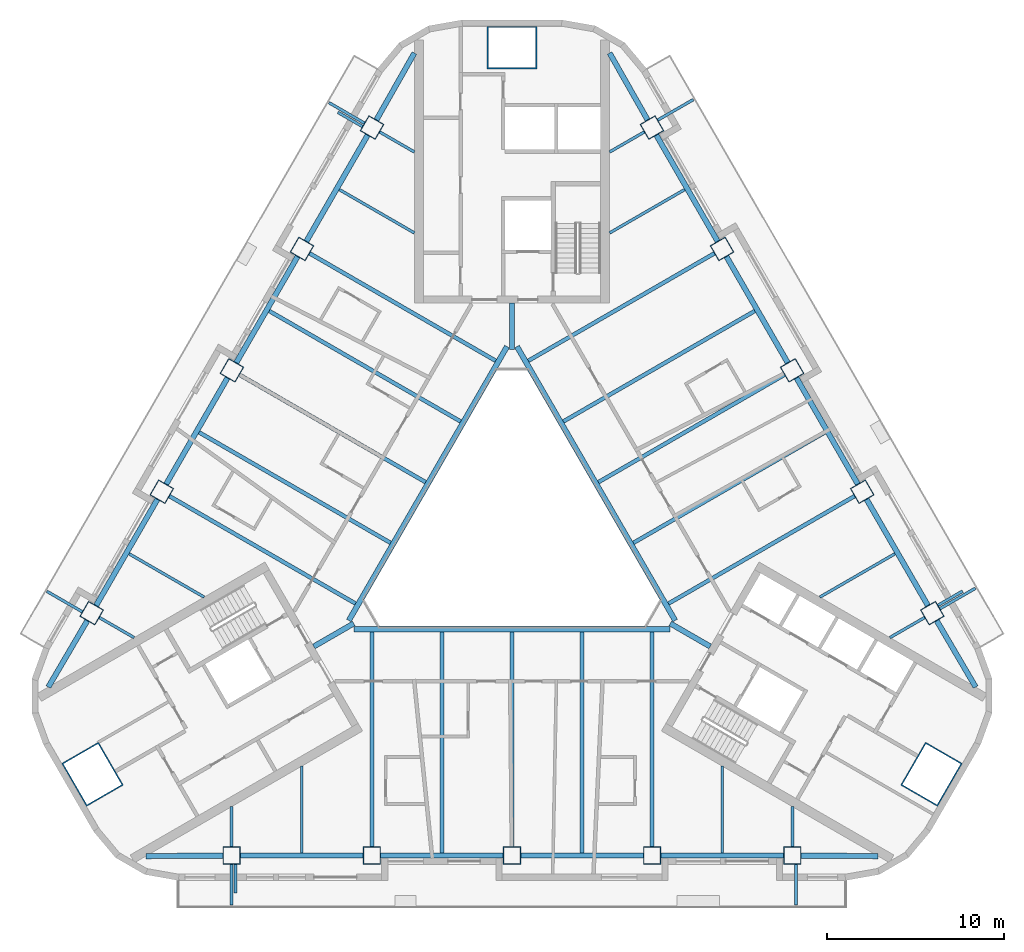
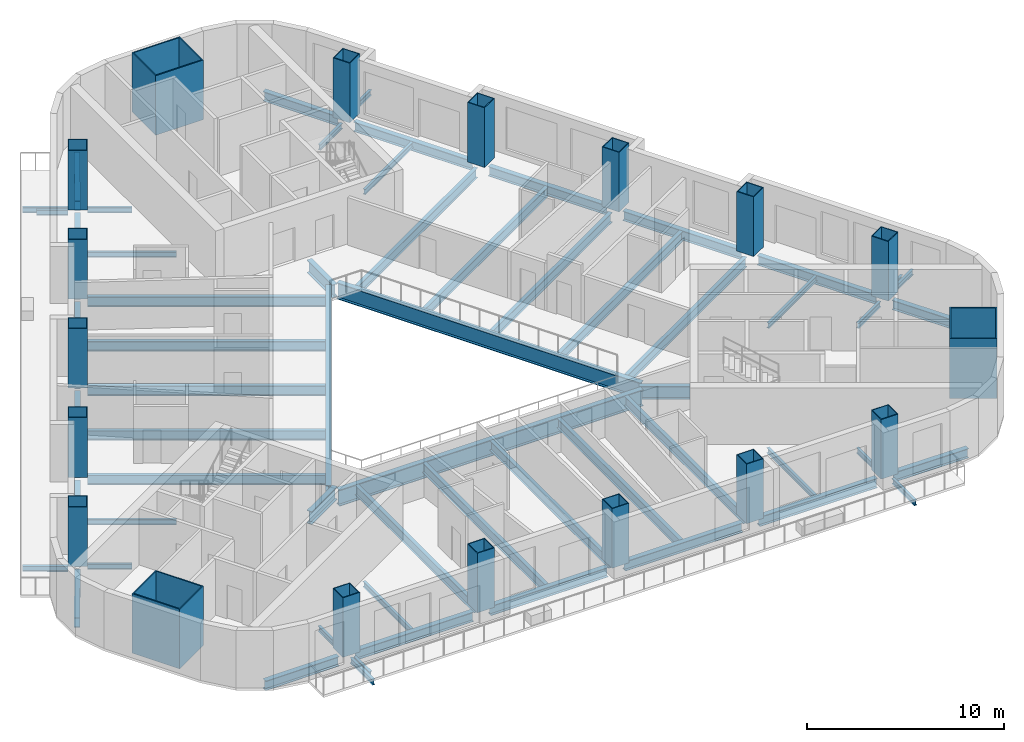
# One storey, part 1 of 14: 60 beams, 18 columns.
"""IFC4 building model written with IfcOpenShell, lengths in metres."""

from ifc_helpers import new_model, si_unit, direction, frame, origin, origin_2d, place, context, subcontext, project, spatial, rectangle, hollow_rectangle, i_section, extrude, material, material_profile, profile_set, type_object, element, save


model = new_model("IFC4")

# Units and contexts
model_context = context("Model", 3, precision=1e-05, world=origin(), true_north=direction((0.0, 1.0)))
body_context = subcontext(model_context, "Body", "Model", "MODEL_VIEW")
ifc_project = project(units=[si_unit("LENGTHUNIT", "METRE"), si_unit("AREAUNIT", "SQUARE_METRE"), si_unit("VOLUMEUNIT", "CUBIC_METRE"), si_unit("PLANEANGLEUNIT", "RADIAN"), si_unit("MASSUNIT", "GRAM", prefix="KILO")], contexts=[model_context])

# Site, building, storey
site_placement = place(None, origin())
site = spatial("IfcSite", under=ifc_project, at=site_placement, CompositionType="ELEMENT")
building_placement = place(site_placement, origin())
building = spatial("IfcBuilding", under=site, at=building_placement, Name="Apuvela Tower Hotel", CompositionType="ELEMENT")
storey_placement = place(building_placement, frame((0.0, 0.0, 72.39990234375)))
storey = spatial("IfcBuildingStorey", under=building, at=storey_placement, Name="L15", CompositionType="ELEMENT", Elevation=72.39990234375)

# Columns
ifc_material_1 = material(Name="Steel S460", Category="steel")
ifc_material_profile_1 = material_profile(ifc_material_1, hollow_rectangle(XDim=2.800048828125, YDim=2.39990234375, WallThickness=0.070068359375, at=origin_2d()), Name="BOX 2800x2400x70")
ifc_material_2 = material(Name="Concrete C80/95", Category="concrete")
ifc_material_profile_2 = material_profile(ifc_material_2, rectangle(XDim=2.659912109375, YDim=2.260009765625, at=origin_2d()), Name="Concrete C80/95 infill")
ifc_profile_set_1 = profile_set([ifc_material_profile_1, ifc_material_profile_2], Name="Steel S460")
column_type_1 = type_object("IfcColumnType", Name="STR-MC mega column BOX 2800x2400x70", PredefinedType="COLUMN", material=ifc_profile_set_1)
for number, where, z_axis, x_axis, name in (
    (1, (0.0, 27.300048828125, 0.0), (0.0, 0.0, 1.0), (1.0, 0.0, 0.0), "Mega column MC2 N"),
    (2, (-23.642578125, -13.64990234375, 0.0), (0.0, 0.0, 1.0), (-0.5, 0.866025403784, 0.0), "Mega column MC2 SW"),
    (3, (23.642578125, -13.64990234375, 0.0), (0.0, 0.0, 1.0), (0.5, 0.866025403784, 0.0), "Mega column MC2 SE"),
):
    element("IfcColumn", number, at=place(storey_placement, frame(where, z_axis=z_axis, x_axis=x_axis)), inside=storey, type_object=column_type_1, Name=name, PredefinedType="COLUMN", context=body_context, shape_type="SweptSolid", body=[
        extrude(hollow_rectangle(XDim=2.800048828125, YDim=2.39990234375, WallThickness=0.070068359375, at=origin_2d()), origin(), (0.0, 0.0, 1.0), 3.7001953125),
    ])
ifc_material_profile_3 = material_profile(ifc_material_1, hollow_rectangle(XDim=1.0, YDim=1.0, WallThickness=0.044921875, at=origin_2d()), Name="BOX 1000x1000x45")
ifc_material_profile_4 = material_profile(ifc_material_2, rectangle(XDim=0.909912109375, YDim=0.909912109375, at=origin_2d()), Name="Concrete C80/95 infill")
ifc_profile_set_2 = profile_set([ifc_material_profile_3, ifc_material_profile_4], Name="Steel S460")
column_type_2 = type_object("IfcColumnType", Name="STR-PC perimeter column BOX 1000x1000x45", PredefinedType="COLUMN", material=ifc_profile_set_2)
for number, where, z_axis, x_axis, name in (
    (4, (-15.800048828125, -18.22998046875, 0.0), (0.0, 0.0, 1.0), (-1.0, 0.0, 0.0), "Perimeter column C2 S1"),
    (5, (-7.89990234375, -18.22998046875, 0.0), (0.0, 0.0, 1.0), (-1.0, 0.0, 0.0), "Perimeter column C2 S2"),
    (6, (0.0, -18.22998046875, 0.0), (0.0, 0.0, 1.0), (-1.0, 0.0, 0.0), "Perimeter column C2 S3"),
    (7, (7.89990234375, -18.22998046875, 0.0), (0.0, 0.0, 1.0), (-1.0, 0.0, 0.0), "Perimeter column C2 S4"),
    (8, (15.800048828125, -18.22998046875, 0.0), (0.0, 0.0, 1.0), (-1.0, 0.0, 0.0), "Perimeter column C2 S5"),
    (9, (23.6875, -4.568115234375, 0.0), (0.0, 0.0, 1.0), (-0.5, 0.866025403784, 0.0), "Perimeter column C2 NE1"),
    (10, (19.737548828125, 2.2734375, 0.0), (0.0, 0.0, 1.0), (-0.5, 0.866025403784, 0.0), "Perimeter column C2 NE2"),
    (11, (15.78759765625, 9.114990234375, 0.0), (0.0, 0.0, 1.0), (-0.5, 0.866025403784, 0.0), "Perimeter column C2 NE3"),
    (12, (11.837646484375, 15.95654296875, 0.0), (0.0, 0.0, 1.0), (-0.5, 0.866025403784, 0.0), "Perimeter column C2 NE4"),
    (13, (7.8876953125, 22.798095703125, 0.0), (0.0, 0.0, 1.0), (-0.5, 0.866025403784, 0.0), "Perimeter column C2 NE5"),
    (14, (-7.8876953125, 22.798095703125, 0.0), (0.0, 0.0, 1.0), (0.5, 0.866025403784, 0.0), "Perimeter column C2 NW1"),
    (15, (-11.837646484375, 15.95654296875, 0.0), (0.0, 0.0, 1.0), (0.5, 0.866025403784, 0.0), "Perimeter column C2 NW2"),
    (16, (-15.78759765625, 9.114990234375, 0.0), (0.0, 0.0, 1.0), (0.5, 0.866025403784, 0.0), "Perimeter column C2 NW3"),
    (17, (-19.737548828125, 2.2734375, 0.0), (0.0, 0.0, 1.0), (0.5, 0.866025403784, 0.0), "Perimeter column C2 NW4"),
    (18, (-23.6875, -4.568115234375, 0.0), (0.0, 0.0, 1.0), (0.5, 0.866025403784, 0.0), "Perimeter column C2 NW5"),
):
    element("IfcColumn", number, at=place(storey_placement, frame(where, z_axis=z_axis, x_axis=x_axis)), inside=storey, type_object=column_type_2, Name=name, PredefinedType="COLUMN", context=body_context, shape_type="SweptSolid", body=[
        extrude(hollow_rectangle(XDim=1.0, YDim=1.0, WallThickness=0.044921875, at=origin_2d()), origin(), (0.0, 0.0, 1.0), 3.7001953125),
    ])

# Beams
ifc_material_3 = material(Name="Steel S355", Category="steel")
ifc_material_profile_5 = material_profile(ifc_material_3, i_section(OverallWidth=0.159912109375, OverallDepth=0.330078125, WebThickness=0.007568359375, FlangeThickness=0.011474609375, at=origin_2d()), Name="IPE 330")
ifc_profile_set_3 = profile_set([ifc_material_profile_5], Name="Steel S355")
beam_type_1 = type_object("IfcBeamType", Name="ENV-BALCONY-BEAM-IPE330", PredefinedType="BEAM", material=ifc_profile_set_3)
beam_1_placement = place(storey_placement, frame((-15.800048828125, -18.72998046875, -0.31494140625), z_axis=(0.0, -1.0, 0.0), x_axis=(1.0, 0.0, 0.0)))
element("IfcBeam", 19, at=beam_1_placement, inside=storey, type_object=beam_type_1, Name="Balcony cantilever beam S1 L15", PredefinedType="BEAM", context=body_context, shape_type="SweptSolid", body=[
    extrude(i_section(OverallWidth=0.159912109375, OverallDepth=0.330078125, WebThickness=0.007568359375, FlangeThickness=0.011474609375, at=origin_2d()), origin(), (0.0, 0.0, 1.0), 2.300048828125),
])
beam_2_placement = place(storey_placement, frame((-15.580078125, -18.72998046875, -0.31494140625), z_axis=(0.0, -1.0, 0.0), x_axis=(1.0, 0.0, 0.0)))
element("IfcBeam", 20, at=beam_2_placement, inside=storey, type_object=beam_type_1, Name="Balcony cantilever beam S2 L15", PredefinedType="BEAM", context=body_context, shape_type="SweptSolid", body=[
    extrude(i_section(OverallWidth=0.159912109375, OverallDepth=0.330078125, WebThickness=0.007568359375, FlangeThickness=0.011474609375, at=origin_2d()), origin(), (0.0, 0.0, 1.0), 1.60009765625),
])
for number, where, z_axis, x_axis, name in (
    (21, (16.0, -18.72998046875, -0.31494140625), (0.0, -1.0, 0.0), (1.0, 0.0, 0.0), "Balcony cantilever beam S3 L15"),
    (22, (24.12060546875, -4.318115234375, -0.31494140625), (0.866053019151, 0.499952165731, 0.0), (-0.499952165731, 0.866053019151, 0.0), "Balcony cantilever beam NE1 L15"),
):
    element("IfcBeam", number, at=place(storey_placement, frame(where, z_axis=z_axis, x_axis=x_axis)), inside=storey, type_object=beam_type_1, Name=name, PredefinedType="BEAM", context=body_context, shape_type="SweptSolid", body=[
        extrude(i_section(OverallWidth=0.159912109375, OverallDepth=0.330078125, WebThickness=0.007568359375, FlangeThickness=0.011474609375, at=origin_2d()), origin(), (0.0, 0.0, 1.0), 2.300048828125),
    ])
beam_3_placement = place(storey_placement, frame((24.0107421875, -4.127685546875, -0.31494140625), z_axis=(0.865989903783, 0.500061482766, 0.0), x_axis=(-0.500061482766, 0.865989903783, 0.0)))
element("IfcBeam", 23, at=beam_3_placement, inside=storey, type_object=beam_type_1, Name="Balcony cantilever beam NE2 L15", PredefinedType="BEAM", context=body_context, shape_type="SweptSolid", body=[
    extrude(i_section(OverallWidth=0.159912109375, OverallDepth=0.330078125, WebThickness=0.007568359375, FlangeThickness=0.011474609375, at=origin_2d()), origin(), (0.0, 0.0, 1.0), 1.599853515625),
])
beam_4_placement = place(storey_placement, frame((8.220703125, 23.221435546875, -0.31494140625), z_axis=(0.86602648383, 0.499998129301, 0.0), x_axis=(-0.499998129301, 0.86602648383, 0.0)))
element("IfcBeam", 24, at=beam_4_placement, inside=storey, type_object=beam_type_1, Name="Balcony cantilever beam NE3 L15", PredefinedType="BEAM", context=body_context, shape_type="SweptSolid", body=[
    extrude(i_section(OverallWidth=0.159912109375, OverallDepth=0.330078125, WebThickness=0.007568359375, FlangeThickness=0.011474609375, at=origin_2d()), origin(), (0.0, 0.0, 1.0), 2.2998046875),
])
beam_5_placement = place(storey_placement, frame((-8.32080078125, 23.048095703125, -0.31494140625), z_axis=(-0.865980515519, 0.500077740698, 0.0), x_axis=(-0.500077740698, -0.865980515519, 0.0)))
element("IfcBeam", 25, at=beam_5_placement, inside=storey, type_object=beam_type_1, Name="Balcony cantilever beam NW1 L15", PredefinedType="BEAM", context=body_context, shape_type="SweptSolid", body=[
    extrude(i_section(OverallWidth=0.159912109375, OverallDepth=0.330078125, WebThickness=0.007568359375, FlangeThickness=0.011474609375, at=origin_2d()), origin(), (0.0, 0.0, 1.0), 2.300048828125),
])
beam_6_placement = place(storey_placement, frame((-8.4306640625, 22.857666015625, -0.31494140625), z_axis=(-0.866028054938, 0.499995408039, 0.0), x_axis=(-0.499995408039, -0.866028054938, 0.0)))
element("IfcBeam", 26, at=beam_6_placement, inside=storey, type_object=beam_type_1, Name="Balcony cantilever beam NW2 L15", PredefinedType="BEAM", context=body_context, shape_type="SweptSolid", body=[
    extrude(i_section(OverallWidth=0.159912109375, OverallDepth=0.330078125, WebThickness=0.007568359375, FlangeThickness=0.011474609375, at=origin_2d()), origin(), (0.0, 0.0, 1.0), 1.60009765625),
])
beam_7_placement = place(storey_placement, frame((-24.220703125, -4.491455078125, -0.31494140625), z_axis=(-0.865980515519, 0.500077740698, 0.0), x_axis=(-0.500077740698, -0.865980515519, 0.0)))
element("IfcBeam", 27, at=beam_7_placement, inside=storey, type_object=beam_type_1, Name="Balcony cantilever beam NW3 L15", PredefinedType="BEAM", context=body_context, shape_type="SweptSolid", body=[
    extrude(i_section(OverallWidth=0.159912109375, OverallDepth=0.330078125, WebThickness=0.007568359375, FlangeThickness=0.011474609375, at=origin_2d()), origin(), (0.0, 0.0, 1.0), 2.300048828125),
])
ifc_material_profile_6 = material_profile(ifc_material_3, i_section(OverallWidth=0.159912109375, OverallDepth=0.330078125, WebThickness=0.007568359375, FlangeThickness=0.011474609375, at=origin_2d()), Name="IPE 330")
ifc_profile_set_4 = profile_set([ifc_material_profile_6], Name="Steel S355")
beam_type_2 = type_object("IfcBeamType", Name="STR-B floor beam IPE 330", PredefinedType="BEAM", material=ifc_profile_set_4)
beam_8_placement = place(storey_placement, frame((23.254638671875, -4.818115234375, -0.31494140625), z_axis=(-0.865991034588, -0.500059524469, 0.0), x_axis=(0.500059524469, -0.865991034588, 0.0)))
element("IfcBeam", 28, at=beam_8_placement, inside=storey, type_object=beam_type_2, Name="Floor beam B1 NE1", PredefinedType="BEAM", context=body_context, shape_type="SweptSolid", body=[
    extrude(i_section(OverallWidth=0.159912109375, OverallDepth=0.330078125, WebThickness=0.007568359375, FlangeThickness=0.011474609375, at=origin_2d()), origin(), (0.0, 0.0, 1.0), 2.257080078125),
])
for number, where, z_axis, x_axis, name in (
    (29, (21.582763671875, -1.222412109375, -0.31494140625), (-0.866015056278, -0.500017921979, 0.0), (0.500017921979, -0.866015056278, 0.0), "Floor beam B1 NE2"),
    (30, (9.732666015625, 19.302490234375, -0.31494140625), (-0.866015056278, -0.500017921979, 0.0), (0.500017921979, -0.866015056278, 0.0), "Floor beam B1 NE8"),
):
    element("IfcBeam", number, at=place(storey_placement, frame(where, z_axis=z_axis, x_axis=x_axis)), inside=storey, type_object=beam_type_2, Name=name, PredefinedType="BEAM", context=body_context, shape_type="SweptSolid", body=[
        extrude(i_section(OverallWidth=0.159912109375, OverallDepth=0.330078125, WebThickness=0.007568359375, FlangeThickness=0.011474609375, at=origin_2d()), origin(), (0.0, 0.0, 1.0), 4.887451171875),
    ])
for number, where, z_axis, x_axis, name in (
    (31, (7.45458984375, 22.548095703125, -0.31494140625), (-0.86603787505, -0.499978398512, 0.0), (0.499978398512, -0.86603787505, 0.0), "Floor beam B1 NE9"),
    (32, (-7.45458984375, 22.548095703125, -0.31494140625), (0.86603787505, -0.499978398512, 0.0), (0.499978398512, 0.86603787505, 0.0), "Floor beam B1 NW1"),
):
    element("IfcBeam", number, at=place(storey_placement, frame(where, z_axis=z_axis, x_axis=x_axis)), inside=storey, type_object=beam_type_2, Name=name, PredefinedType="BEAM", context=body_context, shape_type="SweptSolid", body=[
        extrude(i_section(OverallWidth=0.159912109375, OverallDepth=0.330078125, WebThickness=0.007568359375, FlangeThickness=0.011474609375, at=origin_2d()), origin(), (0.0, 0.0, 1.0), 2.2568359375),
    ])
for number, where, z_axis, x_axis, name in (
    (33, (-9.732666015625, 19.302490234375, -0.31494140625), (0.866015056278, -0.500017921979, 0.0), (0.500017921979, 0.866015056278, 0.0), "Floor beam B1 NW2"),
    (34, (-21.582763671875, -1.222412109375, -0.31494140625), (0.866015056278, -0.500017921979, 0.0), (0.500017921979, 0.866015056278, 0.0), "Floor beam B1 NW8"),
):
    element("IfcBeam", number, at=place(storey_placement, frame(where, z_axis=z_axis, x_axis=x_axis)), inside=storey, type_object=beam_type_2, Name=name, PredefinedType="BEAM", context=body_context, shape_type="SweptSolid", body=[
        extrude(i_section(OverallWidth=0.159912109375, OverallDepth=0.330078125, WebThickness=0.007568359375, FlangeThickness=0.011474609375, at=origin_2d()), origin(), (0.0, 0.0, 1.0), 4.887451171875),
    ])
for number, where, z_axis, x_axis, name in (
    (35, (-23.254638671875, -4.818115234375, -0.31494140625), (0.865991034588, -0.500059524469, 0.0), (0.500059524469, 0.865991034588, 0.0), "Floor beam B1 NW9"),
    (36, (-15.800048828125, -17.72998046875, -0.31494140625), (0.0, 1.0, 0.0), (-1.0, 0.0, 0.0), "Floor beam B1 S1"),
):
    element("IfcBeam", number, at=place(storey_placement, frame(where, z_axis=z_axis, x_axis=x_axis)), inside=storey, type_object=beam_type_2, Name=name, PredefinedType="BEAM", context=body_context, shape_type="SweptSolid", body=[
        extrude(i_section(OverallWidth=0.159912109375, OverallDepth=0.330078125, WebThickness=0.007568359375, FlangeThickness=0.011474609375, at=origin_2d()), origin(), (0.0, 0.0, 1.0), 2.257080078125),
    ])
for number, where, z_axis, x_axis, name in (
    (37, (-11.85009765625, -18.080078125, -0.31494140625), (0.0, 1.0, 0.0), (-1.0, 0.0, 0.0), "Floor beam B1 S2"),
    (38, (11.85009765625, -18.080078125, -0.31494140625), (0.0, 1.0, 0.0), (-1.0, 0.0, 0.0), "Floor beam B1 S8"),
):
    element("IfcBeam", number, at=place(storey_placement, frame(where, z_axis=z_axis, x_axis=x_axis)), inside=storey, type_object=beam_type_2, Name=name, PredefinedType="BEAM", context=body_context, shape_type="SweptSolid", body=[
        extrude(i_section(OverallWidth=0.159912109375, OverallDepth=0.330078125, WebThickness=0.007568359375, FlangeThickness=0.011474609375, at=origin_2d()), origin(), (0.0, 0.0, 1.0), 4.8876953125),
    ])
beam_9_placement = place(storey_placement, frame((15.800048828125, -17.72998046875, -0.31494140625), z_axis=(0.0, 1.0, 0.0), x_axis=(-1.0, 0.0, 0.0)))
element("IfcBeam", 39, at=beam_9_placement, inside=storey, type_object=beam_type_2, Name="Floor beam B1 S9", PredefinedType="BEAM", context=body_context, shape_type="SweptSolid", body=[
    extrude(i_section(OverallWidth=0.159912109375, OverallDepth=0.330078125, WebThickness=0.007568359375, FlangeThickness=0.011474609375, at=origin_2d()), origin(), (0.0, 0.0, 1.0), 2.257080078125),
])
ifc_material_profile_7 = material_profile(ifc_material_3, i_section(OverallWidth=0.219970703125, OverallDepth=0.60009765625, WebThickness=0.011962890625, FlangeThickness=0.01904296875, at=origin_2d()), Name="IPE 600")
ifc_profile_set_5 = profile_set([ifc_material_profile_7], Name="Steel S355")
beam_type_3 = type_object("IfcBeamType", Name="STR-B floor beam IPE 600", PredefinedType="BEAM", material=ifc_profile_set_5)
beam_10_placement = place(storey_placement, frame((19.3046875, 2.0234375, -0.449951171875), z_axis=(-0.866027098151, -0.499997065259, 0.0), x_axis=(0.499997065259, -0.866027098151, 0.0)))
element("IfcBeam", 40, at=beam_10_placement, inside=storey, type_object=beam_type_3, Name="Floor beam B8 NE3", PredefinedType="BEAM", context=body_context, shape_type="SweptSolid", body=[
    extrude(i_section(OverallWidth=0.219970703125, OverallDepth=0.60009765625, WebThickness=0.011962890625, FlangeThickness=0.01904296875, at=origin_2d()), origin(), (0.0, 0.0, 1.0), 12.10791015625),
])
beam_11_placement = place(storey_placement, frame((17.6328125, 5.619140625, -0.449951171875), z_axis=(-0.866027636335, -0.499996133089, 0.0), x_axis=(0.499996133089, -0.866027636335, 0.0)))
element("IfcBeam", 41, at=beam_11_placement, inside=storey, type_object=beam_type_3, Name="Floor beam B8 NE4", PredefinedType="BEAM", context=body_context, shape_type="SweptSolid", body=[
    extrude(i_section(OverallWidth=0.219970703125, OverallDepth=0.60009765625, WebThickness=0.011962890625, FlangeThickness=0.01904296875, at=origin_2d()), origin(), (0.0, 0.0, 1.0), 12.4580078125),
])
beam_12_placement = place(storey_placement, frame((15.3544921875, 8.864990234375, -0.449951171875), z_axis=(-0.866022057176, -0.500005796451, 0.0), x_axis=(0.500005796451, -0.866022057176, 0.0)))
element("IfcBeam", 42, at=beam_12_placement, inside=storey, type_object=beam_type_3, Name="Floor beam B8 NE5", PredefinedType="BEAM", context=body_context, shape_type="SweptSolid", body=[
    extrude(i_section(OverallWidth=0.219970703125, OverallDepth=0.60009765625, WebThickness=0.011962890625, FlangeThickness=0.01904296875, at=origin_2d()), origin(), (0.0, 0.0, 1.0), 12.107666015625),
])
beam_13_placement = place(storey_placement, frame((13.6826171875, 12.460693359375, -0.449951171875), z_axis=(-0.866022737053, -0.500004618886, 0.0), x_axis=(0.500004618886, -0.866022737053, 0.0)))
element("IfcBeam", 43, at=beam_13_placement, inside=storey, type_object=beam_type_3, Name="Floor beam B8 NE6", PredefinedType="BEAM", context=body_context, shape_type="SweptSolid", body=[
    extrude(i_section(OverallWidth=0.219970703125, OverallDepth=0.60009765625, WebThickness=0.011962890625, FlangeThickness=0.01904296875, at=origin_2d()), origin(), (0.0, 0.0, 1.0), 12.4580078125),
])
for number, where, z_axis, x_axis, name in (
    (44, (11.404541015625, 15.70654296875, -0.449951171875), (-0.866027098151, -0.499997065259, 0.0), (0.499997065259, -0.866027098151, 0.0), "Floor beam B8 NE7"),
    (45, (-11.404541015625, 15.70654296875, -0.449951171875), (0.866027098151, -0.499997065259, 0.0), (0.499997065259, 0.866027098151, 0.0), "Floor beam B8 NW3"),
):
    element("IfcBeam", number, at=place(storey_placement, frame(where, z_axis=z_axis, x_axis=x_axis)), inside=storey, type_object=beam_type_3, Name=name, PredefinedType="BEAM", context=body_context, shape_type="SweptSolid", body=[
        extrude(i_section(OverallWidth=0.219970703125, OverallDepth=0.60009765625, WebThickness=0.011962890625, FlangeThickness=0.01904296875, at=origin_2d()), origin(), (0.0, 0.0, 1.0), 12.10791015625),
    ])
beam_14_placement = place(storey_placement, frame((-13.6826171875, 12.460693359375, -0.449951171875), z_axis=(0.866022737053, -0.500004618886, 0.0), x_axis=(0.500004618886, 0.866022737053, 0.0)))
element("IfcBeam", 46, at=beam_14_placement, inside=storey, type_object=beam_type_3, Name="Floor beam B8 NW4", PredefinedType="BEAM", context=body_context, shape_type="SweptSolid", body=[
    extrude(i_section(OverallWidth=0.219970703125, OverallDepth=0.60009765625, WebThickness=0.011962890625, FlangeThickness=0.01904296875, at=origin_2d()), origin(), (0.0, 0.0, 1.0), 12.4580078125),
])
beam_15_placement = place(storey_placement, frame((-15.3544921875, 8.864990234375, -0.449951171875), z_axis=(0.866022057176, -0.500005796451, 0.0), x_axis=(0.500005796451, 0.866022057176, 0.0)))
element("IfcBeam", 47, at=beam_15_placement, inside=storey, type_object=beam_type_3, Name="Floor beam B8 NW5", PredefinedType="BEAM", context=body_context, shape_type="SweptSolid", body=[
    extrude(i_section(OverallWidth=0.219970703125, OverallDepth=0.60009765625, WebThickness=0.011962890625, FlangeThickness=0.01904296875, at=origin_2d()), origin(), (0.0, 0.0, 1.0), 12.107666015625),
])
beam_16_placement = place(storey_placement, frame((-17.6328125, 5.619140625, -0.449951171875), z_axis=(0.866027636335, -0.499996133089, 0.0), x_axis=(0.499996133089, 0.866027636335, 0.0)))
element("IfcBeam", 48, at=beam_16_placement, inside=storey, type_object=beam_type_3, Name="Floor beam B8 NW6", PredefinedType="BEAM", context=body_context, shape_type="SweptSolid", body=[
    extrude(i_section(OverallWidth=0.219970703125, OverallDepth=0.60009765625, WebThickness=0.011962890625, FlangeThickness=0.01904296875, at=origin_2d()), origin(), (0.0, 0.0, 1.0), 12.4580078125),
])
for number, where, z_axis, x_axis, name in (
    (49, (-19.3046875, 2.0234375, -0.449951171875), (0.866027098151, -0.499997065259, 0.0), (0.499997065259, 0.866027098151, 0.0), "Floor beam B8 NW7"),
    (50, (-7.89990234375, -17.72998046875, -0.449951171875), (0.0, 1.0, 0.0), (-1.0, 0.0, 0.0), "Floor beam B8 S3"),
):
    element("IfcBeam", number, at=place(storey_placement, frame(where, z_axis=z_axis, x_axis=x_axis)), inside=storey, type_object=beam_type_3, Name=name, PredefinedType="BEAM", context=body_context, shape_type="SweptSolid", body=[
        extrude(i_section(OverallWidth=0.219970703125, OverallDepth=0.60009765625, WebThickness=0.011962890625, FlangeThickness=0.01904296875, at=origin_2d()), origin(), (0.0, 0.0, 1.0), 12.10791015625),
    ])
beam_17_placement = place(storey_placement, frame((-3.949951171875, -18.080078125, -0.449951171875), z_axis=(0.0, 1.0, 0.0), x_axis=(-1.0, 0.0, 0.0)))
element("IfcBeam", 51, at=beam_17_placement, inside=storey, type_object=beam_type_3, Name="Floor beam B8 S4", PredefinedType="BEAM", context=body_context, shape_type="SweptSolid", body=[
    extrude(i_section(OverallWidth=0.219970703125, OverallDepth=0.60009765625, WebThickness=0.011962890625, FlangeThickness=0.01904296875, at=origin_2d()), origin(), (0.0, 0.0, 1.0), 12.4580078125),
])
beam_18_placement = place(storey_placement, frame((0.0, -17.72998046875, -0.449951171875), z_axis=(0.0, 1.0, 0.0), x_axis=(-1.0, 0.0, 0.0)))
element("IfcBeam", 52, at=beam_18_placement, inside=storey, type_object=beam_type_3, Name="Floor beam B8 S5", PredefinedType="BEAM", context=body_context, shape_type="SweptSolid", body=[
    extrude(i_section(OverallWidth=0.219970703125, OverallDepth=0.60009765625, WebThickness=0.011962890625, FlangeThickness=0.01904296875, at=origin_2d()), origin(), (0.0, 0.0, 1.0), 12.10791015625),
])
beam_19_placement = place(storey_placement, frame((3.949951171875, -18.080078125, -0.449951171875), z_axis=(0.0, 1.0, 0.0), x_axis=(-1.0, 0.0, 0.0)))
element("IfcBeam", 53, at=beam_19_placement, inside=storey, type_object=beam_type_3, Name="Floor beam B8 S6", PredefinedType="BEAM", context=body_context, shape_type="SweptSolid", body=[
    extrude(i_section(OverallWidth=0.219970703125, OverallDepth=0.60009765625, WebThickness=0.011962890625, FlangeThickness=0.01904296875, at=origin_2d()), origin(), (0.0, 0.0, 1.0), 12.4580078125),
])
beam_20_placement = place(storey_placement, frame((7.89990234375, -17.72998046875, -0.449951171875), z_axis=(0.0, 1.0, 0.0), x_axis=(-1.0, 0.0, 0.0)))
element("IfcBeam", 54, at=beam_20_placement, inside=storey, type_object=beam_type_3, Name="Floor beam B8 S7", PredefinedType="BEAM", context=body_context, shape_type="SweptSolid", body=[
    extrude(i_section(OverallWidth=0.219970703125, OverallDepth=0.60009765625, WebThickness=0.011962890625, FlangeThickness=0.01904296875, at=origin_2d()), origin(), (0.0, 0.0, 1.0), 12.10791015625),
])
ifc_material_profile_8 = material_profile(ifc_material_3, i_section(OverallWidth=0.302001953125, OverallDepth=1.008056640625, WebThickness=0.02099609375, FlangeThickness=0.0400390625, at=origin_2d()), Name="HE 1000 M")
ifc_profile_set_6 = profile_set([ifc_material_profile_8], Name="Steel S355")
beam_type_4 = type_object("IfcBeamType", Name="STR-G atrium ring girder HE 1000 M", PredefinedType="BEAM", material=ifc_profile_set_6)
for number, where, z_axis, x_axis, name in (
    (55, (-0.28076171875, 10.455810546875, -0.65380859375), (-0.500000611842, -0.866025050537, 0.0), (0.866025050537, -0.500000611842, 0.0), "Atrium ring girder G1 N-SW"),
    (56, (-8.91455078125, -5.470947265625, -0.65380859375), (1.0, 0.0, 0.0), (0.0, 1.0, 0.0), "Atrium ring girder G1 SW-SE"),
    (57, (9.1953125, -4.984619140625, -0.65380859375), (-0.500000611842, 0.866025050537, 0.0), (-0.866025050537, -0.500000611842, 0.0), "Atrium ring girder G1 SE-N"),
):
    element("IfcBeam", number, at=place(storey_placement, frame(where, z_axis=z_axis, x_axis=x_axis)), inside=storey, type_object=beam_type_4, Name=name, PredefinedType="BEAM", context=body_context, shape_type="SweptSolid", body=[
        extrude(i_section(OverallWidth=0.302001953125, OverallDepth=1.008056640625, WebThickness=0.02099609375, FlangeThickness=0.0400390625, at=origin_2d()), origin(), (0.0, 0.0, 1.0), 17.8291015625),
    ])
ifc_material_profile_9 = material_profile(ifc_material_3, i_section(OverallWidth=0.300048828125, OverallDepth=0.800048828125, WebThickness=0.017578125, FlangeThickness=0.032958984375, at=origin_2d()), Name="HE 800 B")
ifc_profile_set_7 = profile_set([ifc_material_profile_9], Name="Steel S355")
beam_type_5 = type_object("IfcBeamType", Name="STR-GT core tie beam HE 800 B", PredefinedType="BEAM", material=ifc_profile_set_7)
for number, where, z_axis, x_axis, name in (
    (58, (0.0, 12.89990234375, -0.5498046875), (0.0, -1.0, 0.0), (1.0, 0.0, 0.0), "Core tie beam GT1 N"),
    (59, (-11.171630859375, -6.449951171875, -0.5498046875), (0.865997922154, 0.500047596559, 0.0), (-0.500047596559, 0.865997922154, 0.0), "Core tie beam GT1 SW"),
    (60, (11.171630859375, -6.449951171875, -0.5498046875), (-0.865997922154, 0.500047596559, 0.0), (-0.500047596559, -0.865997922154, 0.0), "Core tie beam GT1 SE"),
):
    element("IfcBeam", number, at=place(storey_placement, frame(where, z_axis=z_axis, x_axis=x_axis)), inside=storey, type_object=beam_type_5, Name=name, PredefinedType="BEAM", context=body_context, shape_type="SweptSolid", body=[
        extrude(i_section(OverallWidth=0.300048828125, OverallDepth=0.800048828125, WebThickness=0.017578125, FlangeThickness=0.032958984375, at=origin_2d()), origin(), (0.0, 0.0, 1.0), 2.599853515625),
    ])
ifc_material_profile_10 = material_profile(ifc_material_3, i_section(OverallWidth=0.300048828125, OverallDepth=0.590087890625, WebThickness=0.012939453125, FlangeThickness=0.02490234375, at=origin_2d()), Name="HE 600 A")
ifc_profile_set_8 = profile_set([ifc_material_profile_10], Name="Steel S355")
beam_type_6 = type_object("IfcBeamType", Name="STR-SB spandrel beam HE 600 A", PredefinedType="SPANDREL", material=ifc_profile_set_8)
beam_21_placement = place(storey_placement, frame((-15.300048828125, -18.22998046875, -0.44482421875), z_axis=(1.0, 0.0, 0.0), x_axis=(0.0, 1.0, 0.0)))
element("IfcBeam", 61, at=beam_21_placement, inside=storey, type_object=beam_type_6, Name="Spandrel beam SB2 S1", PredefinedType="SPANDREL", context=body_context, shape_type="SweptSolid", body=[
    extrude(i_section(OverallWidth=0.300048828125, OverallDepth=0.590087890625, WebThickness=0.012939453125, FlangeThickness=0.02490234375, at=origin_2d()), origin(), (0.0, 0.0, 1.0), 6.900146484375),
])
for number, where, z_axis, x_axis, name in (
    (62, (-7.39990234375, -18.22998046875, -0.44482421875), (1.0, 0.0, 0.0), (0.0, 1.0, 0.0), "Spandrel beam SB2 S2"),
    (63, (0.5, -18.22998046875, -0.44482421875), (1.0, 0.0, 0.0), (0.0, 1.0, 0.0), "Spandrel beam SB2 S3"),
):
    element("IfcBeam", number, at=place(storey_placement, frame(where, z_axis=z_axis, x_axis=x_axis)), inside=storey, type_object=beam_type_6, Name=name, PredefinedType="SPANDREL", context=body_context, shape_type="SweptSolid", body=[
        extrude(i_section(OverallWidth=0.300048828125, OverallDepth=0.590087890625, WebThickness=0.012939453125, FlangeThickness=0.02490234375, at=origin_2d()), origin(), (0.0, 0.0, 1.0), 6.89990234375),
    ])
beam_22_placement = place(storey_placement, frame((8.39990234375, -18.22998046875, -0.44482421875), z_axis=(1.0, 0.0, 0.0), x_axis=(0.0, 1.0, 0.0)))
element("IfcBeam", 64, at=beam_22_placement, inside=storey, type_object=beam_type_6, Name="Spandrel beam SB2 S4", PredefinedType="SPANDREL", context=body_context, shape_type="SweptSolid", body=[
    extrude(i_section(OverallWidth=0.300048828125, OverallDepth=0.590087890625, WebThickness=0.012939453125, FlangeThickness=0.02490234375, at=origin_2d()), origin(), (0.0, 0.0, 1.0), 6.900146484375),
])
for number, where, z_axis, x_axis, name in (
    (65, (23.4375, -4.13525390625, -0.44482421875), (-0.499994024137, 0.866028853923, 0.0), (-0.866028853923, -0.499994024137, 0.0), "Spandrel beam SB2 NE1"),
    (66, (19.487548828125, 2.706298828125, -0.44482421875), (-0.499994024137, 0.866028853923, 0.0), (-0.866028853923, -0.499994024137, 0.0), "Spandrel beam SB2 NE2"),
    (67, (15.53759765625, 9.548095703125, -0.44482421875), (-0.499994024137, 0.866028853923, 0.0), (-0.866028853923, -0.499994024137, 0.0), "Spandrel beam SB2 NE3"),
    (68, (11.587646484375, 16.3896484375, -0.44482421875), (-0.499994024137, 0.866028853923, 0.0), (-0.866028853923, -0.499994024137, 0.0), "Spandrel beam SB2 NE4"),
    (69, (-8.1376953125, 22.365234375, -0.44482421875), (-0.499994024137, -0.866028853923, 0.0), (0.866028853923, -0.499994024137, 0.0), "Spandrel beam SB2 NW1"),
    (70, (-12.087646484375, 15.523681640625, -0.44482421875), (-0.499994024137, -0.866028853923, 0.0), (0.866028853923, -0.499994024137, 0.0), "Spandrel beam SB2 NW2"),
    (71, (-16.03759765625, 8.681884765625, -0.44482421875), (-0.499994024137, -0.866028853923, 0.0), (0.866028853923, -0.499994024137, 0.0), "Spandrel beam SB2 NW3"),
    (72, (-19.987548828125, 1.84033203125, -0.44482421875), (-0.499994024137, -0.866028853923, 0.0), (0.866028853923, -0.499994024137, 0.0), "Spandrel beam SB2 NW4"),
):
    element("IfcBeam", number, at=place(storey_placement, frame(where, z_axis=z_axis, x_axis=x_axis)), inside=storey, type_object=beam_type_6, Name=name, PredefinedType="SPANDREL", context=body_context, shape_type="SweptSolid", body=[
        extrude(i_section(OverallWidth=0.300048828125, OverallDepth=0.590087890625, WebThickness=0.012939453125, FlangeThickness=0.02490234375, at=origin_2d()), origin(), (0.0, 0.0, 1.0), 6.89990234375),
    ])
for number, where, z_axis, x_axis, name in (
    (73, (-16.300048828125, -18.2333984375, -0.44482421875), (-0.999976372141, -0.00687423888, 0.0), (0.00687423888, -0.999976372141, 0.0), "Spandrel beam SB2 S1-SW"),
    (74, (16.300048828125, -18.2333984375, -0.44482421875), (0.999976372141, -0.00687423888, 0.0), (0.00687423888, 0.999976372141, 0.0), "Spandrel beam SB2 S5-SE"),
    (75, (23.940673828125, -4.99951171875, -0.44482421875), (0.505943625762, -0.862566546738, 0.0), (0.862566546738, 0.505943625762, 0.0), "Spandrel beam SB2 NE1-SE"),
    (76, (7.640625, 23.23291015625, -0.44482421875), (-0.494050066642, 0.869433454412, 0.0), (-0.869433454412, -0.494050066642, 0.0), "Spandrel beam SB2 NE5-N"),
    (77, (-7.640625, 23.23291015625, -0.44482421875), (0.494050066642, 0.869433454412, 0.0), (-0.869433454412, 0.494050066642, 0.0), "Spandrel beam SB2 NW1-N"),
    (78, (-23.940673828125, -4.99951171875, -0.44482421875), (-0.505943625762, -0.862566546738, 0.0), (0.862566546738, -0.505943625762, 0.0), "Spandrel beam SB2 NW5-SW"),
):
    element("IfcBeam", number, at=place(storey_placement, frame(where, z_axis=z_axis, x_axis=x_axis)), inside=storey, type_object=beam_type_6, Name=name, PredefinedType="SPANDREL", context=body_context, shape_type="SweptSolid", body=[
        extrude(i_section(OverallWidth=0.300048828125, OverallDepth=0.590087890625, WebThickness=0.012939453125, FlangeThickness=0.02490234375, at=origin_2d()), origin(), (0.0, 0.0, 1.0), 4.332763671875),
    ])

save(model, "model.ifc")
